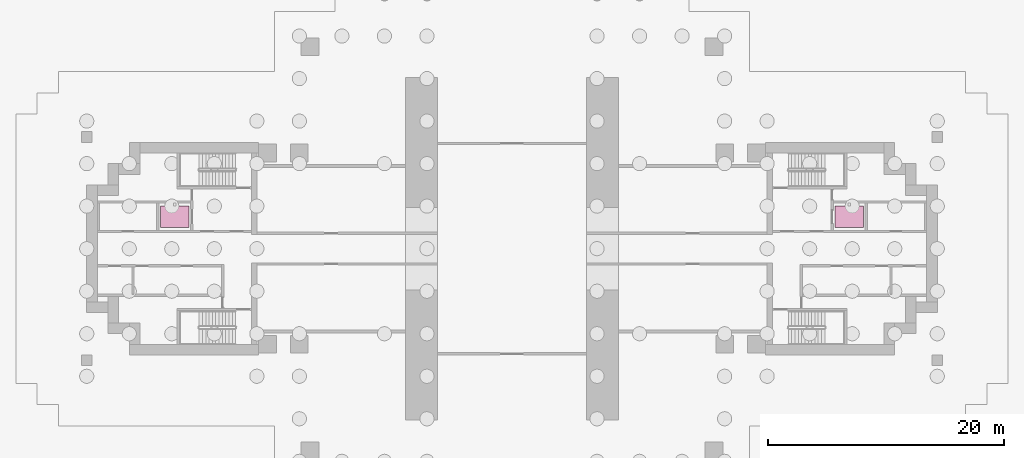
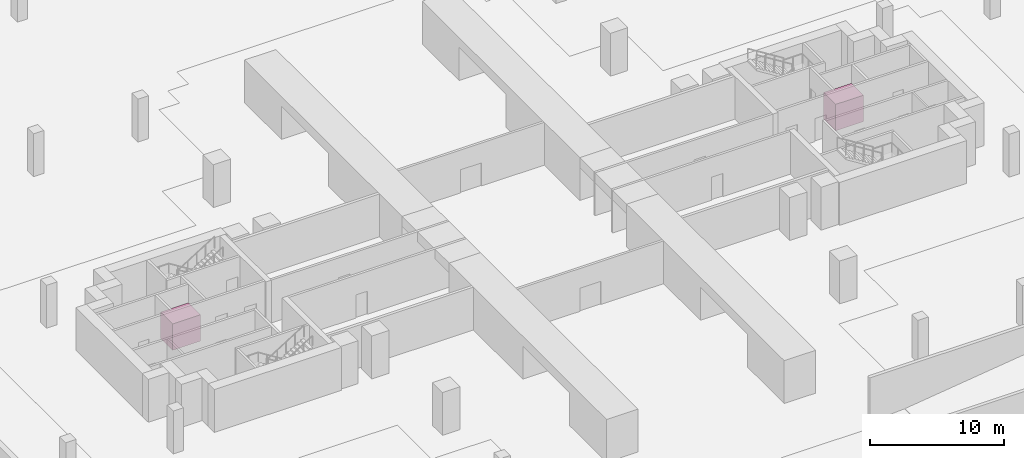
# One storey, part 11 of 11: 2 transport elements.
"""IFC4 building model written with IfcOpenShell, lengths in metres."""

from ifc_helpers import new_model, si_unit, direction, frame, origin, origin_2d, place, context, subcontext, project, spatial, rectangle, extrude, material, type_object, element, save


model = new_model("IFC4")

# Units and contexts
model_context = context("Model", 3, precision=1e-05, world=origin(), true_north=direction((0.0, 1.0)))
body_context = subcontext(model_context, "Body", "Model", "MODEL_VIEW")
ifc_project = project(units=[si_unit("LENGTHUNIT", "METRE"), si_unit("AREAUNIT", "SQUARE_METRE"), si_unit("VOLUMEUNIT", "CUBIC_METRE"), si_unit("PLANEANGLEUNIT", "RADIAN"), si_unit("MASSUNIT", "GRAM", prefix="KILO")], contexts=[model_context])

# Site, building, storey
site_placement = place(None, origin())
site = spatial("IfcSite", under=ifc_project, at=site_placement, CompositionType="ELEMENT")
building_placement = place(site_placement, origin())
building = spatial("IfcBuilding", under=site, at=building_placement, Name="Perihelion Cross Residences", CompositionType="ELEMENT")
storey_placement = place(building_placement, frame((0.0, 0.0, -17.10009765625)))
storey = spatial("IfcBuildingStorey", under=building, at=storey_placement, Name="B4", CompositionType="ELEMENT", Elevation=-17.10009765625)

# Transport elements
ifc_material = material(Name="Firefighting lift car 1800x2400")
transport_element_type = type_object("IfcTransportElementType", Name="Firefighting lift car 1800x2400", PredefinedType="ELEVATOR", material=ifc_material)
for number, where, z_axis, x_axis, name in (
    (1, (28.550048828125, 2.699951171875, 0.000244140625), (0.0, 0.0, 1.0), (1.0, 0.0, 0.0), "East core firefighting and service lift"),
    (2, (-28.550048828125, 2.699951171875, 0.000244140625), (0.0, 0.0, 1.0), (1.0, 0.0, 0.0), "West core firefighting and service lift"),
):
    element("IfcTransportElement", number, at=place(storey_placement, frame(where, z_axis=z_axis, x_axis=x_axis)), inside=storey, type_object=transport_element_type, Name=name, PredefinedType="ELEVATOR", context=body_context, shape_type="SweptSolid", body=[
        extrude(rectangle(XDim=2.39990234375, YDim=1.800048828125, at=origin_2d()), origin(), (0.0, 0.0, 1.0), 2.39990234375),
    ])

save(model, "model.ifc")
